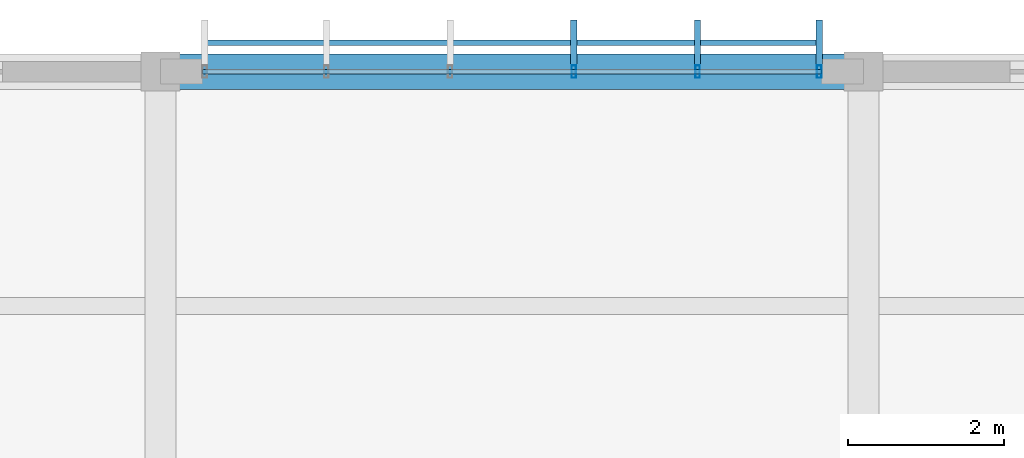
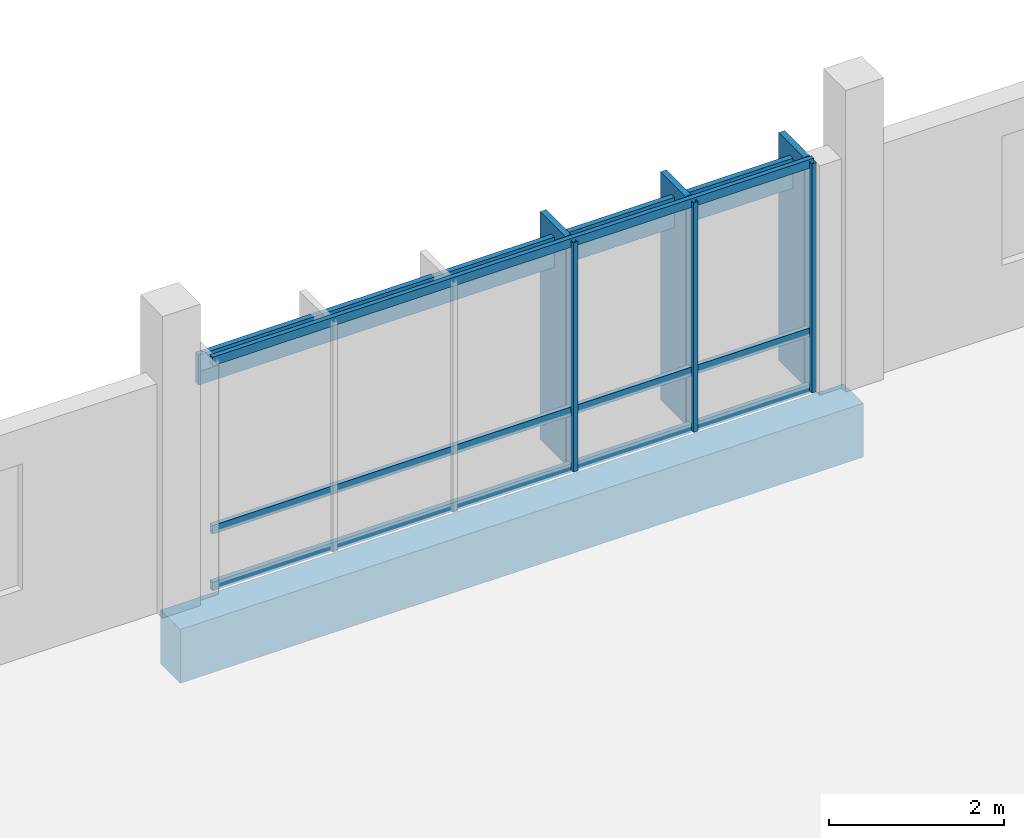
# One storey, part 73 of 107: 10 members, 1 beam, 1 element without a shape of its own.
"""IFC4 building model written with IfcOpenShell, lengths in metres."""

from ifc_helpers import new_model, si_unit, direction, frame, origin, origin_2d, place, context, subcontext, project, spatial, rectangle, hollow_rectangle, extrude, material, material_profile, profile_set, type_object, element, aggregate, save


model = new_model("IFC4")

# Units and contexts
model_context = context("Model", 3, precision=1e-05, world=origin(), true_north=direction((0.0, 1.0)))
body_context = subcontext(model_context, "Body", "Model", "MODEL_VIEW")
ifc_project = project(units=[si_unit("LENGTHUNIT", "METRE"), si_unit("AREAUNIT", "SQUARE_METRE"), si_unit("VOLUMEUNIT", "CUBIC_METRE"), si_unit("PLANEANGLEUNIT", "RADIAN"), si_unit("MASSUNIT", "GRAM", prefix="KILO")], contexts=[model_context])

# Site, building, storey
site_placement = place(None, origin())
site = spatial("IfcSite", under=ifc_project, at=site_placement, CompositionType="ELEMENT")
building_placement = place(site_placement, origin())
building = spatial("IfcBuilding", under=site, at=building_placement, Name="Chiffa Square Polytechnic", CompositionType="ELEMENT")
storey_placement = place(building_placement, frame((0.0, 0.0, 13.800048828125)))
storey = spatial("IfcBuildingStorey", under=building, at=storey_placement, Name="L03", CompositionType="ELEMENT", Elevation=13.800048828125)

# Beam
ifc_material_1 = material(Name="Concrete C35/45", Category="concrete")
ifc_material_profile_1 = material_profile(ifc_material_1, rectangle(XDim=0.449951171875, YDim=0.75, at=origin_2d()), Name="RC 450x750")
ifc_profile_set_1 = profile_set([ifc_material_profile_1], Name="Concrete C35/45")
beam_type = type_object("IfcBeamType", Name="BM-RC-450X750", PredefinedType="BEAM", material=ifc_profile_set_1)
beam_placement = place(storey_placement, frame((93.60009765625, 130.800048828125, -0.635009765625), z_axis=(1.0, 0.0, 0.0), x_axis=(0.0, 1.0, 0.0)))
element("IfcBeam", 1, at=beam_placement, inside=storey, type_object=beam_type, Name="Primary floor girder BM-V5-L03-X-0936-1308", PredefinedType="BEAM", context=body_context, shape_type="SweptSolid", body=[
    extrude(rectangle(XDim=0.449951171875, YDim=0.75, at=origin_2d()), origin(), (0.0, 0.0, 1.0), 9.0),
])

# Curtain wall, members
ifc_material_2 = material(Name="Aluminium EN AW-6060 T66 and glulam shading", Category="wood")
curtain_wall_type = type_object("IfcCurtainWallType", Name="CW-VERT-600X440", PredefinedType="USERDEFINED", material=ifc_material_2)
curtain_wall_placement = place(storey_placement, origin())
curtain_wall = element("IfcCurtainWall", 2, at=curtain_wall_placement, inside=storey, type_object=curtain_wall_type, Name="Curtain wall CW-V5-L03-233", ObjectType="CURTAIN WALL", PredefinedType="USERDEFINED")
ifc_material_3 = material(Name="Aluminium EN AW-6060 T66", Category="aluminium")
ifc_material_profile_2 = material_profile(ifc_material_3, hollow_rectangle(XDim=0.06005859375, YDim=0.159912109375, WallThickness=0.00390625, at=origin_2d()), Name="ALU 60x160x4")
ifc_profile_set_2 = profile_set([ifc_material_profile_2], Name="Aluminium EN AW-6060 T66")
member_type_1 = type_object("IfcMemberType", Name="CWM-ALU-65X150", PredefinedType="MULLION", material=ifc_profile_set_2)
member_1_placement = place(storey_placement, frame((102.034912109375, 130.800048828125, 0.0), z_axis=(0.0, 0.0, 1.0), x_axis=(1.0, 0.0, 0.0)))
member_1 = element("IfcMember", 3, at=member_1_placement, type_object=member_type_1, Name="Curtain wall mullion CW-V5-L03-233-M00", PredefinedType="MULLION", context=body_context, shape_type="SweptSolid", body=[
    extrude(hollow_rectangle(XDim=0.06005859375, YDim=0.159912109375, WallThickness=0.00390625, at=origin_2d()), origin(), (0.0, 0.0, 1.0), 3.195068359375),
])
member_2_placement = place(storey_placement, frame((100.47607421875, 130.800048828125, 0.0), z_axis=(0.0, 0.0, 1.0), x_axis=(1.0, 0.0, 0.0)))
member_2 = element("IfcMember", 4, at=member_2_placement, type_object=member_type_1, Name="Curtain wall mullion CW-V5-L03-233-M01", PredefinedType="MULLION", context=body_context, shape_type="SweptSolid", body=[
    extrude(hollow_rectangle(XDim=0.06005859375, YDim=0.159912109375, WallThickness=0.00390625, at=origin_2d()), origin(), (0.0, 0.0, 1.0), 3.195068359375),
])
member_3_placement = place(storey_placement, frame((98.89208984375, 130.800048828125, 0.0), z_axis=(0.0, 0.0, 1.0), x_axis=(1.0, 0.0, 0.0)))
member_3 = element("IfcMember", 5, at=member_3_placement, type_object=member_type_1, Name="Curtain wall mullion CW-V5-L03-233-M02", PredefinedType="MULLION", context=body_context, shape_type="SweptSolid", body=[
    extrude(hollow_rectangle(XDim=0.06005859375, YDim=0.159912109375, WallThickness=0.00390625, at=origin_2d()), origin(), (0.0, 0.0, 1.0), 3.195068359375),
])
ifc_material_4 = material(Name="Glulam GL28h", Category="wood")
ifc_material_profile_3 = material_profile(ifc_material_4, rectangle(XDim=0.080078125, YDim=0.580078125, at=origin_2d()), Name="GL28h 80x580")
ifc_profile_set_3 = profile_set([ifc_material_profile_3], Name="Glulam GL28h")
member_type_2 = type_object("IfcMemberType", Name="CWM-GL-80X580", PredefinedType="MULLION", material=ifc_profile_set_3)
member_4_placement = place(storey_placement, frame((102.034912109375, 131.172119140625, 0.010009765625), z_axis=(0.0, 0.0, 1.0), x_axis=(-1.0, 0.0, 0.0)))
member_4 = element("IfcMember", 6, at=member_4_placement, type_object=member_type_2, Name="Exterior glulam solar fin CW-V5-L03-233-FN00", PredefinedType="MULLION", context=body_context, shape_type="SweptSolid", body=[
    extrude(rectangle(XDim=0.080078125, YDim=0.580078125, at=origin_2d()), origin(), (0.0, 0.0, 1.0), 3.175048828125),
])
member_5_placement = place(storey_placement, frame((100.47607421875, 131.172119140625, 0.010009765625), z_axis=(0.0, 0.0, 1.0), x_axis=(-1.0, 0.0, 0.0)))
member_5 = element("IfcMember", 7, at=member_5_placement, type_object=member_type_2, Name="Exterior glulam solar fin CW-V5-L03-233-FN01", PredefinedType="MULLION", context=body_context, shape_type="SweptSolid", body=[
    extrude(rectangle(XDim=0.080078125, YDim=0.580078125, at=origin_2d()), origin(), (0.0, 0.0, 1.0), 3.175048828125),
])
member_6_placement = place(storey_placement, frame((98.89208984375, 131.172119140625, 0.010009765625), z_axis=(0.0, 0.0, 1.0), x_axis=(-1.0, 0.0, 0.0)))
member_6 = element("IfcMember", 8, at=member_6_placement, type_object=member_type_2, Name="Exterior glulam solar fin CW-V5-L03-233-FN02", PredefinedType="MULLION", context=body_context, shape_type="SweptSolid", body=[
    extrude(rectangle(XDim=0.080078125, YDim=0.580078125, at=origin_2d()), origin(), (0.0, 0.0, 1.0), 3.175048828125),
])
ifc_material_profile_4 = material_profile(ifc_material_3, hollow_rectangle(XDim=0.06005859375, YDim=0.1201171875, WallThickness=0.00390625, at=origin_2d()), Name="ALU 60x120x4")
ifc_profile_set_4 = profile_set([ifc_material_profile_4], Name="Aluminium EN AW-6060 T66")
member_type_3 = type_object("IfcMemberType", Name="CWT-ALU-65X120", PredefinedType="USERDEFINED", material=ifc_profile_set_4)
member_7_placement = place(storey_placement, frame((102.06201171875, 130.800048828125, 0.030029296875), z_axis=(-1.0, 0.0, 0.0), x_axis=(0.0, -1.0, 0.0)))
member_7 = element("IfcMember", 9, at=member_7_placement, type_object=member_type_3, Name="Curtain wall transom CW-V5-L03-233-T01", ObjectType="TRANSOM", PredefinedType="USERDEFINED", context=body_context, shape_type="SweptSolid", body=[
    extrude(hollow_rectangle(XDim=0.06005859375, YDim=0.1201171875, WallThickness=0.00390625, at=origin_2d()), origin(), (0.0, 0.0, 1.0), 7.924072265625),
])
member_8_placement = place(storey_placement, frame((102.06201171875, 130.800048828125, 0.820068359375), z_axis=(-1.0, 0.0, 0.0), x_axis=(0.0, -1.0, 0.0)))
member_8 = element("IfcMember", 10, at=member_8_placement, type_object=member_type_3, Name="Curtain wall transom CW-V5-L03-233-T02", ObjectType="TRANSOM", PredefinedType="USERDEFINED", context=body_context, shape_type="SweptSolid", body=[
    extrude(hollow_rectangle(XDim=0.06005859375, YDim=0.1201171875, WallThickness=0.00390625, at=origin_2d()), origin(), (0.0, 0.0, 1.0), 7.924072265625),
])
member_9_placement = place(storey_placement, frame((102.06201171875, 130.800048828125, 3.1650390625), z_axis=(-1.0, 0.0, 0.0), x_axis=(0.0, -1.0, 0.0)))
member_9 = element("IfcMember", 11, at=member_9_placement, type_object=member_type_3, Name="Curtain wall transom CW-V5-L03-233-T03", ObjectType="TRANSOM", PredefinedType="USERDEFINED", context=body_context, shape_type="SweptSolid", body=[
    extrude(hollow_rectangle(XDim=0.06005859375, YDim=0.1201171875, WallThickness=0.00390625, at=origin_2d()), origin(), (0.0, 0.0, 1.0), 7.924072265625),
])
ifc_material_profile_5 = material_profile(ifc_material_4, rectangle(XDim=0.070068359375, YDim=0.419921875, at=origin_2d()), Name="GL28h 70x420")
ifc_profile_set_5 = profile_set([ifc_material_profile_5], Name="Glulam GL28h")
member_type_4 = type_object("IfcMemberType", Name="CWT-GL-70X420", PredefinedType="USERDEFINED", material=ifc_profile_set_5)
member_10_placement = place(storey_placement, frame((102.034912109375, 131.172119140625, 2.81494140625), z_axis=(-1.0, 0.0, 0.0), x_axis=(0.0, -1.0, 0.0)))
member_10 = element("IfcMember", 12, at=member_10_placement, type_object=member_type_4, Name="Exterior glulam brise-soleil CW-V5-L03-233-BS01", ObjectType="TRANSOM", PredefinedType="USERDEFINED", context=body_context, shape_type="SweptSolid", body=[
    extrude(rectangle(XDim=0.070068359375, YDim=0.419921875, at=origin_2d()), origin(), (0.0, 0.0, 1.0), 7.869873046875),
])
aggregate(curtain_wall, [member_1, member_4, member_2, member_5, member_3, member_6, member_7, member_8, member_9, member_10])

save(model, "model.ifc")
